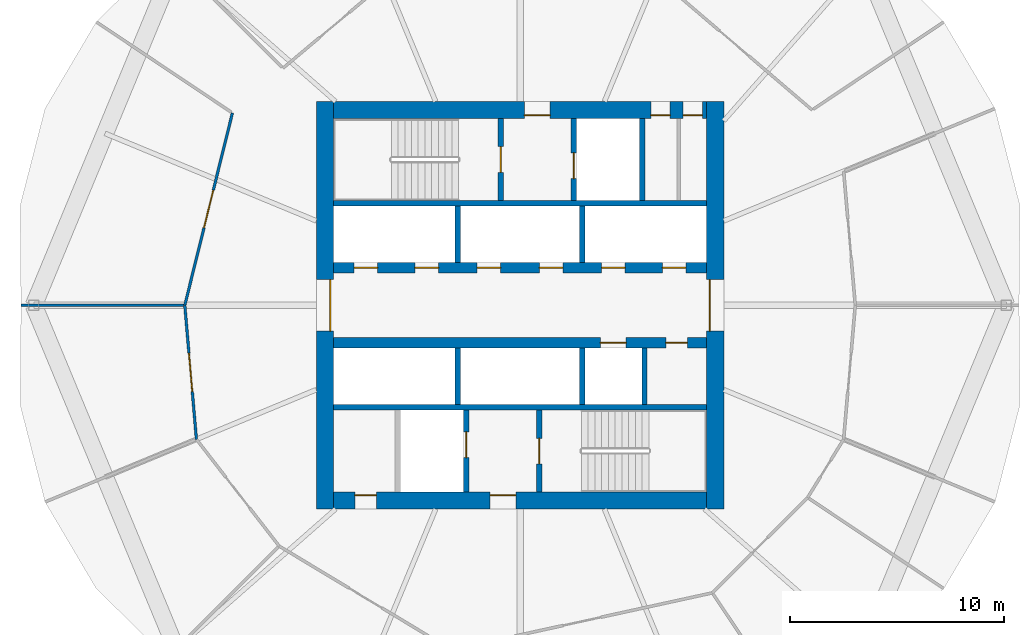
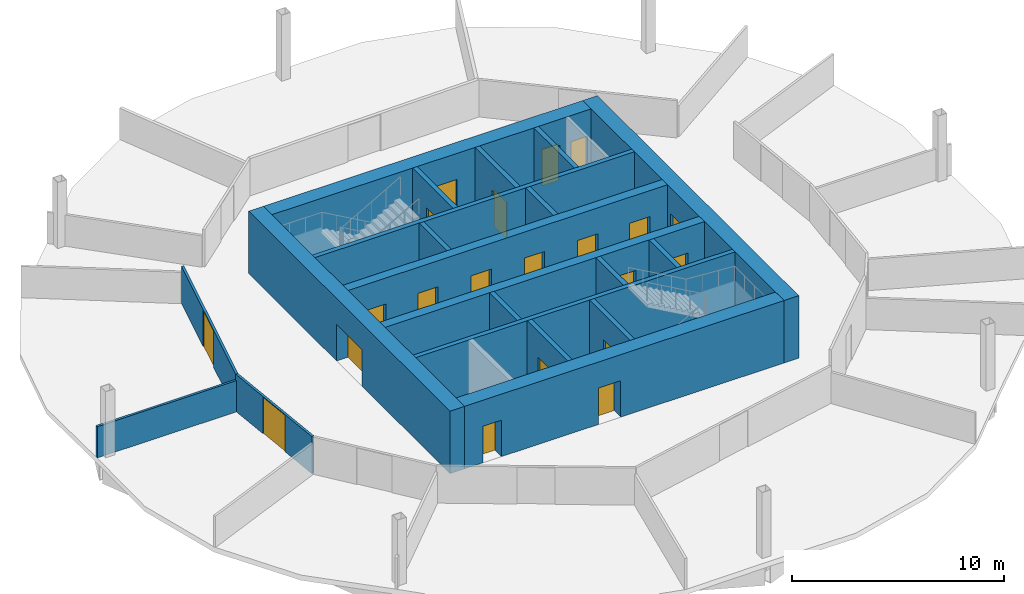
# One storey, part 4 of 9: 21 doors, 21 walls, 21 openings.
"""IFC4 building model written with IfcOpenShell, lengths in metres."""

from ifc_helpers import new_model, si_unit, direction, frame, frame_2d, origin, place, context, subcontext, project, spatial, rectangle, extrude, material, layer, layer_set, type_object, element, fill, save


model = new_model("IFC4")

# Units and contexts
model_context = context("Model", 3, precision=1e-05, world=origin(), true_north=direction((0.0, 1.0)))
body_context = subcontext(model_context, "Body", "Model", "MODEL_VIEW")
ifc_project = project(units=[si_unit("LENGTHUNIT", "METRE"), si_unit("AREAUNIT", "SQUARE_METRE"), si_unit("VOLUMEUNIT", "CUBIC_METRE"), si_unit("PLANEANGLEUNIT", "RADIAN"), si_unit("MASSUNIT", "GRAM", prefix="KILO")], contexts=[model_context])

# Site, building, storey
site_placement = place(None, origin())
site = spatial("IfcSite", under=ifc_project, at=site_placement, CompositionType="ELEMENT")
building_placement = place(site_placement, origin())
building = spatial("IfcBuilding", under=site, at=building_placement, Name="Ogive Gate Towers", CompositionType="ELEMENT")
storey_placement = place(building_placement, frame((0.0, 0.0, 91.800048828125)))
storey = spatial("IfcBuildingStorey", under=building, at=storey_placement, Name="L21", CompositionType="ELEMENT", Elevation=91.800048828125)

# Wall, openings, doors
ifc_material_1 = material(Name="Concrete C60/75", Category="concrete")
ifc_layer_1 = layer(ifc_material_1, 0.800048828125)
ifc_layer_set_1 = layer_set([ifc_layer_1], Name="Core wall 800 mm")
wall_type_1 = type_object("IfcWallType", Name="Core wall 800 mm", PredefinedType="SHEAR", material=ifc_layer_set_1)
wall_1_placement = place(storey_placement, frame((-44.699951171875, -9.10009765625, 0.0), z_axis=(0.0, 0.0, 1.0), x_axis=(1.0, 0.0, 0.0)))
wall_1 = element("IfcWall", 1, at=wall_1_placement, inside=storey, type_object=wall_type_1, Name="T1 L21 Core wall 800 mm", PredefinedType="SHEAR", context=body_context, shape_type="SweptSolid", body=[
    extrude(rectangle(XDim=17.39990234375, YDim=0.800048828125, at=frame_2d((8.699951171875, 0.0))), origin(), (0.0, 0.0, 1.0), 3.599853515625),
])
opening_1_placement = place(wall_1_placement, frame((7.300048828125, 0.0, 0.0)))
opening_1 = element("IfcOpeningElement", 2, at=opening_1_placement, cuts=wall_1, Name="Opening KD-T1-L21-16", PredefinedType="OPENING", context=body_context, shape_type="SweptSolid", body=[
    extrude(rectangle(XDim=1.199951171875, YDim=2.10009765625, at=frame_2d((0.60009765625, 1.050048828125))), frame((0.0, 0.41015625, 0.0), z_axis=(0.0, -1.0, 0.0), x_axis=(1.0, 0.0, 0.0)), (0.0, 0.0, 1.0), 0.820068359375),
])
opening_2_placement = place(wall_1_placement, frame((1.0, 0.0, 0.0)))
opening_2 = element("IfcOpeningElement", 3, at=opening_2_placement, cuts=wall_1, Name="Opening KD-T1-L21-19", PredefinedType="OPENING", context=body_context, shape_type="SweptSolid", body=[
    extrude(rectangle(XDim=1.0, YDim=2.10009765625, at=frame_2d((0.5, 1.050048828125))), frame((0.0, 0.41015625, 0.0), z_axis=(0.0, -1.0, 0.0), x_axis=(1.0, 0.0, 0.0)), (0.0, 0.0, 1.0), 0.820068359375),
])
ifc_material_2 = material(Name="Timber door", Category="wood")
door_type_1 = type_object("IfcDoorType", Name="Accessible WC door 1000 x 2100", OperationType="NOTDEFINED", PredefinedType="DOOR", material=ifc_material_2)
door_1_placement = place(opening_2_placement, origin())
door_1 = element("IfcDoor", 4, at=door_1_placement, inside=storey, type_object=door_type_1, Name="T1 L21 Core door", OperationType="SINGLE_SWING_RIGHT", OverallHeight=2.10009765625, OverallWidth=1.0, PredefinedType="DOOR", context=body_context, shape_type="SweptSolid", body=[
    extrude(rectangle(XDim=1.0, YDim=2.10009765625, at=frame_2d((0.5, 1.050048828125))), frame((0.0, 0.27490234375, 0.0), z_axis=(0.0, -1.0, 0.0), x_axis=(1.0, 0.0, 0.0)), (0.0, 0.0, 1.0), 0.050048828125),
])
fill(opening_2, door_1)
ifc_material_3 = material(Name="Steel fire door", Category="steel")
door_type_2 = type_object("IfcDoorType", Name="Core door FD60S 1200 x 2100", OperationType="NOTDEFINED", PredefinedType="DOOR", material=ifc_material_3)
door_2_placement = place(opening_1_placement, origin())
door_2 = element("IfcDoor", 5, at=door_2_placement, inside=storey, type_object=door_type_2, Name="T1 L21 Fire-fighting lobby door", OperationType="SINGLE_SWING_LEFT", OverallHeight=2.10009765625, OverallWidth=1.199951171875, PredefinedType="DOOR", context=body_context, shape_type="SweptSolid", body=[
    extrude(rectangle(XDim=1.199951171875, YDim=2.10009765625, at=frame_2d((0.60009765625, 1.050048828125))), frame((0.0, 0.27490234375, 0.0), z_axis=(0.0, -1.0, 0.0), x_axis=(1.0, 0.0, 0.0)), (0.0, 0.0, 1.0), 0.050048828125),
])
fill(opening_1, door_2)

wall_2_placement = place(storey_placement, frame((-44.699951171875, 9.10009765625, 0.0), z_axis=(0.0, 0.0, 1.0), x_axis=(1.0, 0.0, 0.0)))
wall_2 = element("IfcWall", 6, at=wall_2_placement, inside=storey, type_object=wall_type_1, Name="T1 L21 Core wall 800 mm", PredefinedType="SHEAR", context=body_context, shape_type="SweptSolid", body=[
    extrude(rectangle(XDim=17.39990234375, YDim=0.800048828125, at=frame_2d((8.699951171875, 0.0))), origin(), (0.0, 0.0, 1.0), 3.599853515625),
])
opening_3_placement = place(wall_2_placement, frame((8.89990234375, 0.0, 0.0)))
opening_3 = element("IfcOpeningElement", 7, at=opening_3_placement, cuts=wall_2, Name="Opening KD-T1-L21-15", PredefinedType="OPENING", context=body_context, shape_type="SweptSolid", body=[
    extrude(rectangle(XDim=1.199951171875, YDim=2.10009765625, at=frame_2d((0.60009765625, 1.050048828125))), frame((0.0, 0.41015625, 0.0), z_axis=(0.0, -1.0, 0.0), x_axis=(1.0, 0.0, 0.0)), (0.0, 0.0, 1.0), 0.820068359375),
])
opening_4_placement = place(wall_2_placement, frame((14.800048828125, 0.0, 0.0)))
opening_4 = element("IfcOpeningElement", 8, at=opening_4_placement, cuts=wall_2, Name="Opening KD-T1-L21-17", PredefinedType="OPENING", context=body_context, shape_type="SweptSolid", body=[
    extrude(rectangle(XDim=0.89990234375, YDim=2.10009765625, at=frame_2d((0.449951171875, 1.050048828125))), frame((0.0, 0.41015625, 0.0), z_axis=(0.0, -1.0, 0.0), x_axis=(1.0, 0.0, 0.0)), (0.0, 0.0, 1.0), 0.820068359375),
])
opening_5_placement = place(wall_2_placement, frame((16.300048828125, 0.0, 0.0)))
opening_5 = element("IfcOpeningElement", 9, at=opening_5_placement, cuts=wall_2, Name="Opening KD-T1-L21-18", PredefinedType="OPENING", context=body_context, shape_type="SweptSolid", body=[
    extrude(rectangle(XDim=0.89990234375, YDim=2.10009765625, at=frame_2d((0.449951171875, 1.050048828125))), frame((0.0, 0.41015625, 0.0), z_axis=(0.0, -1.0, 0.0), x_axis=(1.0, 0.0, 0.0)), (0.0, 0.0, 1.0), 0.820068359375),
])
door_type_3 = type_object("IfcDoorType", Name="Core WC door 900 x 2100", OperationType="NOTDEFINED", PredefinedType="DOOR", material=ifc_material_2)
door_3_placement = place(opening_4_placement, origin())
door_3 = element("IfcDoor", 10, at=door_3_placement, inside=storey, type_object=door_type_3, Name="T1 L21 Core door", OperationType="SINGLE_SWING_RIGHT", OverallHeight=2.10009765625, OverallWidth=0.89990234375, PredefinedType="DOOR", context=body_context, shape_type="SweptSolid", body=[
    extrude(rectangle(XDim=0.89990234375, YDim=2.10009765625, at=frame_2d((0.449951171875, 1.050048828125))), frame((0.0, -0.22509765625, 0.0), z_axis=(0.0, -1.0, 0.0), x_axis=(1.0, 0.0, 0.0)), (0.0, 0.0, 1.0), 0.050048828125),
])
fill(opening_4, door_3)
door_4_placement = place(opening_5_placement, origin())
door_4 = element("IfcDoor", 11, at=door_4_placement, inside=storey, type_object=door_type_3, Name="T1 L21 Core door", OperationType="SINGLE_SWING_LEFT", OverallHeight=2.10009765625, OverallWidth=0.89990234375, PredefinedType="DOOR", context=body_context, shape_type="SweptSolid", body=[
    extrude(rectangle(XDim=0.89990234375, YDim=2.10009765625, at=frame_2d((0.449951171875, 1.050048828125))), frame((0.0, -0.22509765625, 0.0), z_axis=(0.0, -1.0, 0.0), x_axis=(1.0, 0.0, 0.0)), (0.0, 0.0, 1.0), 0.050048828125),
])
fill(opening_5, door_4)
door_5_placement = place(opening_3_placement, origin())
door_5 = element("IfcDoor", 12, at=door_5_placement, inside=storey, type_object=door_type_2, Name="T1 L21 Fire-fighting lobby door", OperationType="SINGLE_SWING_RIGHT", OverallHeight=2.10009765625, OverallWidth=1.199951171875, PredefinedType="DOOR", context=body_context, shape_type="SweptSolid", body=[
    extrude(rectangle(XDim=1.199951171875, YDim=2.10009765625, at=frame_2d((0.60009765625, 1.050048828125))), frame((0.0, -0.22509765625, 0.0), z_axis=(0.0, -1.0, 0.0), x_axis=(1.0, 0.0, 0.0)), (0.0, 0.0, 1.0), 0.050048828125),
])
fill(opening_3, door_5)

# Wall, opening, door
wall_3_placement = place(storey_placement, frame((-45.10009765625, -9.5, 0.0), z_axis=(0.0, 0.0, 1.0), x_axis=(0.0, 1.0, 0.0)))
wall_3 = element("IfcWall", 13, at=wall_3_placement, inside=storey, type_object=wall_type_1, Name="T1 L21 Core wall 800 mm", PredefinedType="SHEAR", context=body_context, shape_type="SweptSolid", body=[
    extrude(rectangle(XDim=19.0, YDim=0.800048828125, at=frame_2d((9.5, 0.0))), origin(), (0.0, 0.0, 1.0), 3.599853515625),
])
opening_6_placement = place(wall_3_placement, frame((8.300048828125, 0.0, 0.0)))
opening_6 = element("IfcOpeningElement", 14, at=opening_6_placement, cuts=wall_3, Name="Opening KD-T1-L21-01", PredefinedType="OPENING", context=body_context, shape_type="SweptSolid", body=[
    extrude(rectangle(XDim=2.39990234375, YDim=2.10009765625, at=frame_2d((1.199951171875, 1.050048828125))), frame((0.0, 0.41015625, 0.0), z_axis=(0.0, -1.0, 0.0), x_axis=(1.0, 0.0, 0.0)), (0.0, 0.0, 1.0), 0.820068359375),
])
door_type_4 = type_object("IfcDoorType", Name="Core double door FD60S 2400 x 2100", OperationType="DOUBLE_DOOR_SINGLE_SWING", PredefinedType="DOOR", material=ifc_material_3)
door_6_placement = place(opening_6_placement, origin())
door_6 = element("IfcDoor", 15, at=door_6_placement, inside=storey, type_object=door_type_4, Name="T1 L21 Core door double", OperationType="DOUBLE_DOOR_SINGLE_SWING", OverallHeight=2.10009765625, OverallWidth=2.39990234375, PredefinedType="DOOR", context=body_context, shape_type="SweptSolid", body=[
    extrude(rectangle(XDim=2.39990234375, YDim=2.10009765625, at=frame_2d((1.199951171875, 1.050048828125))), frame((0.0, -0.22509765625, 0.0), z_axis=(0.0, -1.0, 0.0), x_axis=(1.0, 0.0, 0.0)), (0.0, 0.0, 1.0), 0.050048828125),
])
fill(opening_6, door_6)

wall_4_placement = place(storey_placement, frame((-26.89990234375, -9.5, 0.0), z_axis=(0.0, 0.0, 1.0), x_axis=(0.0, 1.0, 0.0)))
wall_4 = element("IfcWall", 16, at=wall_4_placement, inside=storey, type_object=wall_type_1, Name="T1 L21 Core wall 800 mm", PredefinedType="SHEAR", context=body_context, shape_type="SweptSolid", body=[
    extrude(rectangle(XDim=19.0, YDim=0.800048828125, at=frame_2d((9.5, 0.0))), origin(), (0.0, 0.0, 1.0), 3.599853515625),
])
opening_7_placement = place(wall_4_placement, frame((8.300048828125, 0.0, 0.0)))
opening_7 = element("IfcOpeningElement", 17, at=opening_7_placement, cuts=wall_4, Name="Opening KD-T1-L21-02", PredefinedType="OPENING", context=body_context, shape_type="SweptSolid", body=[
    extrude(rectangle(XDim=2.39990234375, YDim=2.10009765625, at=frame_2d((1.199951171875, 1.050048828125))), frame((0.0, 0.41015625, 0.0), z_axis=(0.0, -1.0, 0.0), x_axis=(1.0, 0.0, 0.0)), (0.0, 0.0, 1.0), 0.820068359375),
])
door_7_placement = place(opening_7_placement, origin())
door_7 = element("IfcDoor", 18, at=door_7_placement, inside=storey, type_object=door_type_4, Name="T1 L21 Core door double", OperationType="DOUBLE_DOOR_SINGLE_SWING", OverallHeight=2.10009765625, OverallWidth=2.39990234375, PredefinedType="DOOR", context=body_context, shape_type="SweptSolid", body=[
    extrude(rectangle(XDim=2.39990234375, YDim=2.10009765625, at=frame_2d((1.199951171875, 1.050048828125))), frame((0.0, 0.27490234375, 0.0), z_axis=(0.0, -1.0, 0.0), x_axis=(1.0, 0.0, 0.0)), (0.0, 0.0, 1.0), 0.050048828125),
])
fill(opening_7, door_7)

# Wall
ifc_material_4 = material(Name="Gypsum board partition")
ifc_layer_2 = layer(ifc_material_4, 0.125)
ifc_layer_set_2 = layer_set([ifc_layer_2], Name="Partition 125")
wall_type_2 = type_object("IfcWallType", Name="Partition 125", PredefinedType="PARTITIONING", material=ifc_layer_set_2)
wall_5_placement = place(storey_placement, frame((-59.26904296875, 0.0, 0.0), z_axis=(0.0, 0.0, 1.0), x_axis=(1.0, 0.0, 0.0)))
element("IfcWall", 19, at=wall_5_placement, inside=storey, type_object=wall_type_2, Name="Partition T1-L21-008", PredefinedType="PARTITIONING", context=body_context, shape_type="SweptSolid", body=[
    extrude(rectangle(XDim=7.57666015625, YDim=0.125, at=frame_2d((3.788330078125, 0.0))), origin(), (0.0, 0.0, 1.0), 1.800048828125),
])

# Wall, opening, door
wall_6_placement = place(storey_placement, frame((-49.4091796875, 8.9658203125, 0.0), z_axis=(0.0, 0.0, 1.0), x_axis=(-0.240420532382, -0.970668824888, 0.0)))
wall_6 = element("IfcWall", 20, at=wall_6_placement, inside=storey, type_object=wall_type_2, Name="Partition T1-L21-018", PredefinedType="PARTITIONING", context=body_context, shape_type="SweptSolid", body=[
    extrude(rectangle(XDim=9.23681640625, YDim=0.125, at=frame_2d((4.618408203125, 0.0))), origin(), (0.0, 0.0, 1.0), 2.139892578125),
])
opening_8_placement = place(wall_6_placement, frame((3.718017578125, 0.0, 0.0)))
opening_8 = element("IfcOpeningElement", 21, at=opening_8_placement, cuts=wall_6, Name="Opening T1-L21-D04", PredefinedType="OPENING", context=body_context, shape_type="SweptSolid", body=[
    extrude(rectangle(XDim=1.800048828125, YDim=2.10009765625, at=frame_2d((0.89990234375, 1.050048828125))), frame((0.0, 0.072509765625, 0.0), z_axis=(0.0, -1.0, 0.0), x_axis=(1.0, 0.0, 0.0)), (0.0, 0.0, 1.0), 0.14501953125),
])
door_type_5 = type_object("IfcDoorType", Name="Door pair 1800", OperationType="NOTDEFINED", PredefinedType="DOOR", material=ifc_material_2)
door_8_placement = place(opening_8_placement, origin())
door_8 = element("IfcDoor", 22, at=door_8_placement, inside=storey, type_object=door_type_5, Name="Door T1-L21-D04", OperationType="DOUBLE_DOOR_DOUBLE_SWING", OverallHeight=2.10009765625, OverallWidth=1.800048828125, PredefinedType="DOOR", context=body_context, shape_type="SweptSolid", body=[
    extrude(rectangle(XDim=1.800048828125, YDim=2.10009765625, at=frame_2d((0.89990234375, 1.050048828125))), frame((0.0, 0.02490234375, 0.0), z_axis=(0.0, -1.0, 0.0), x_axis=(1.0, 0.0, 0.0)), (0.0, 0.0, 1.0), 0.050048828125),
])
fill(opening_8, door_8)

wall_7_placement = place(storey_placement, frame((-51.6298828125, 0.0, 0.0), z_axis=(0.0, 0.0, 1.0), x_axis=(0.086401208682, -0.996260423352, 0.0)))
wall_7 = element("IfcWall", 23, at=wall_7_placement, inside=storey, type_object=wall_type_2, Name="Partition T1-L21-019", PredefinedType="PARTITIONING", context=body_context, shape_type="SweptSolid", body=[
    extrude(rectangle(XDim=6.27294921875, YDim=0.125, at=frame_2d((3.136474609375, 0.0))), origin(), (0.0, 0.0, 1.0), 2.139892578125),
])
opening_9_placement = place(wall_7_placement, frame((2.237060546875, 0.0, 0.0)))
opening_9 = element("IfcOpeningElement", 24, at=opening_9_placement, cuts=wall_7, Name="Opening T1-L21-D05", PredefinedType="OPENING", context=body_context, shape_type="SweptSolid", body=[
    extrude(rectangle(XDim=1.800048828125, YDim=2.10009765625, at=frame_2d((0.89990234375, 1.050048828125))), frame((0.0, 0.072509765625, 0.0), z_axis=(0.0, -1.0, 0.0), x_axis=(1.0, 0.0, 0.0)), (0.0, 0.0, 1.0), 0.14501953125),
])
door_9_placement = place(opening_9_placement, origin())
door_9 = element("IfcDoor", 25, at=door_9_placement, inside=storey, type_object=door_type_5, Name="Door T1-L21-D05", OperationType="DOUBLE_DOOR_DOUBLE_SWING", OverallHeight=2.10009765625, OverallWidth=1.800048828125, PredefinedType="DOOR", context=body_context, shape_type="SweptSolid", body=[
    extrude(rectangle(XDim=1.800048828125, YDim=2.10009765625, at=frame_2d((0.89990234375, 1.050048828125))), frame((0.0, 0.02490234375, 0.0), z_axis=(0.0, -1.0, 0.0), x_axis=(1.0, 0.0, 0.0)), (0.0, 0.0, 1.0), 0.050048828125),
])
fill(opening_9, door_9)

# Walls
ifc_layer_3 = layer(ifc_material_1, 0.25)
ifc_layer_set_3 = layer_set([ifc_layer_3], Name="Shaft wall 250 mm")
wall_type_3 = type_object("IfcWallType", Name="Shaft wall 250 mm", PredefinedType="SHEAR", material=ifc_layer_set_3)
for number, where, z_axis, x_axis, name in (
    (26, (-44.699951171875, -4.75, 0.0), (0.0, 0.0, 1.0), (1.0, 0.0, 0.0), "T1 L21 Shaft wall 250 mm"),
    (27, (-44.699951171875, 4.75, 0.0), (0.0, 0.0, 1.0), (1.0, 0.0, 0.0), "T1 L21 Shaft wall 250 mm"),
):
    element("IfcWall", number, at=place(storey_placement, frame(where, z_axis=z_axis, x_axis=x_axis)), inside=storey, type_object=wall_type_3, Name=name, PredefinedType="SHEAR", context=body_context, shape_type="SweptSolid", body=[
        extrude(rectangle(XDim=17.39990234375, YDim=0.25, at=frame_2d((8.699951171875, 0.0))), origin(), (0.0, 0.0, 1.0), 3.599853515625),
    ])
for number, where, z_axis, x_axis, name in (
    (28, (-38.89990234375, -4.625, 0.0), (0.0, 0.0, 1.0), (0.0, 1.0, 0.0), "T1 L21 Shaft wall 250 mm"),
    (29, (-38.89990234375, 2.0, 0.0), (0.0, 0.0, 1.0), (0.0, 1.0, 0.0), "T1 L21 Shaft wall 250 mm"),
):
    element("IfcWall", number, at=place(storey_placement, frame(where, z_axis=z_axis, x_axis=x_axis)), inside=storey, type_object=wall_type_3, Name=name, PredefinedType="SHEAR", context=body_context, shape_type="SweptSolid", body=[
        extrude(rectangle(XDim=2.625, YDim=0.25, at=frame_2d((1.3125, 0.0))), origin(), (0.0, 0.0, 1.0), 3.599853515625),
    ])

# Wall, opening, door
wall_8_placement = place(storey_placement, frame((-38.5, -8.699951171875, 0.0), z_axis=(0.0, 0.0, 1.0), x_axis=(0.0, 1.0, 0.0)))
wall_8 = element("IfcWall", 30, at=wall_8_placement, inside=storey, type_object=wall_type_3, Name="T1 L21 Shaft wall 250 mm", PredefinedType="SHEAR", context=body_context, shape_type="SweptSolid", body=[
    extrude(rectangle(XDim=3.824951171875, YDim=0.25, at=frame_2d((1.91259765625, 0.0))), origin(), (0.0, 0.0, 1.0), 3.599853515625),
])
opening_10_placement = place(wall_8_placement, frame((1.60009765625, 0.0, 0.0)))
opening_10 = element("IfcOpeningElement", 31, at=opening_10_placement, cuts=wall_8, Name="Opening LD-T1-L21-11", PredefinedType="OPENING", context=body_context, shape_type="SweptSolid", body=[
    extrude(rectangle(XDim=1.199951171875, YDim=2.10009765625, at=frame_2d((0.60009765625, 1.050048828125))), frame((0.0, 0.135009765625, 0.0), z_axis=(0.0, -1.0, 0.0), x_axis=(1.0, 0.0, 0.0)), (0.0, 0.0, 1.0), 0.27001953125),
])
ifc_material_5 = material(Name="Stainless steel landing door", Category="steel")
door_type_6 = type_object("IfcDoorType", Name="Landing door 1200 x 2100", OperationType="SLIDING_TO_LEFT", PredefinedType="DOOR", material=ifc_material_5)
door_10_placement = place(opening_10_placement, origin())
door_10 = element("IfcDoor", 32, at=door_10_placement, inside=storey, type_object=door_type_6, Name="T1 L21 Lift landing door FF2", OperationType="SLIDING_TO_LEFT", OverallHeight=2.10009765625, OverallWidth=1.199951171875, PredefinedType="DOOR", context=body_context, shape_type="SweptSolid", body=[
    extrude(rectangle(XDim=1.199951171875, YDim=2.10009765625, at=frame_2d((0.60009765625, 1.050048828125))), frame((0.0, 0.02490234375, 0.0), z_axis=(0.0, -1.0, 0.0), x_axis=(1.0, 0.0, 0.0)), (0.0, 0.0, 1.0), 0.050048828125),
])
fill(opening_10, door_10)

wall_9_placement = place(storey_placement, frame((-36.89990234375, 4.875, 0.0), z_axis=(0.0, 0.0, 1.0), x_axis=(0.0, 1.0, 0.0)))
wall_9 = element("IfcWall", 33, at=wall_9_placement, inside=storey, type_object=wall_type_3, Name="T1 L21 Shaft wall 250 mm", PredefinedType="SHEAR", context=body_context, shape_type="SweptSolid", body=[
    extrude(rectangle(XDim=3.824951171875, YDim=0.25, at=frame_2d((1.91259765625, 0.0))), origin(), (0.0, 0.0, 1.0), 3.599853515625),
])
opening_11_placement = place(wall_9_placement, frame((1.324951171875, 0.0, 0.0)))
opening_11 = element("IfcOpeningElement", 34, at=opening_11_placement, cuts=wall_9, Name="Opening KD-T1-L21-13", PredefinedType="OPENING", context=body_context, shape_type="SweptSolid", body=[
    extrude(rectangle(XDim=1.199951171875, YDim=2.10009765625, at=frame_2d((0.60009765625, 1.050048828125))), frame((0.0, 0.135009765625, 0.0), z_axis=(0.0, -1.0, 0.0), x_axis=(1.0, 0.0, 0.0)), (0.0, 0.0, 1.0), 0.27001953125),
])
door_11_placement = place(opening_11_placement, origin())
door_11 = element("IfcDoor", 35, at=door_11_placement, inside=storey, type_object=door_type_2, Name="T1 L21 Stair door", OperationType="SINGLE_SWING_RIGHT", OverallHeight=2.10009765625, OverallWidth=1.199951171875, PredefinedType="DOOR", context=body_context, shape_type="SweptSolid", body=[
    extrude(rectangle(XDim=1.199951171875, YDim=2.10009765625, at=frame_2d((0.60009765625, 1.050048828125))), frame((0.0, 0.02490234375, 0.0), z_axis=(0.0, -1.0, 0.0), x_axis=(1.0, 0.0, 0.0)), (0.0, 0.0, 1.0), 0.050048828125),
])
fill(opening_11, door_11)

wall_10_placement = place(storey_placement, frame((-35.10009765625, -8.699951171875, 0.0), z_axis=(0.0, 0.0, 1.0), x_axis=(0.0, 1.0, 0.0)))
wall_10 = element("IfcWall", 36, at=wall_10_placement, inside=storey, type_object=wall_type_3, Name="T1 L21 Shaft wall 250 mm", PredefinedType="SHEAR", context=body_context, shape_type="SweptSolid", body=[
    extrude(rectangle(XDim=3.824951171875, YDim=0.25, at=frame_2d((1.91259765625, 0.0))), origin(), (0.0, 0.0, 1.0), 3.599853515625),
])
opening_12_placement = place(wall_10_placement, frame((1.300048828125, 0.0, 0.0)))
opening_12 = element("IfcOpeningElement", 37, at=opening_12_placement, cuts=wall_10, Name="Opening KD-T1-L21-14", PredefinedType="OPENING", context=body_context, shape_type="SweptSolid", body=[
    extrude(rectangle(XDim=1.199951171875, YDim=2.10009765625, at=frame_2d((0.60009765625, 1.050048828125))), frame((0.0, 0.135009765625, 0.0), z_axis=(0.0, -1.0, 0.0), x_axis=(1.0, 0.0, 0.0)), (0.0, 0.0, 1.0), 0.27001953125),
])
door_12_placement = place(opening_12_placement, origin())
door_12 = element("IfcDoor", 38, at=door_12_placement, inside=storey, type_object=door_type_2, Name="T1 L21 Stair door", OperationType="SINGLE_SWING_LEFT", OverallHeight=2.10009765625, OverallWidth=1.199951171875, PredefinedType="DOOR", context=body_context, shape_type="SweptSolid", body=[
    extrude(rectangle(XDim=1.199951171875, YDim=2.10009765625, at=frame_2d((0.60009765625, 1.050048828125))), frame((0.0, 0.02490234375, 0.0), z_axis=(0.0, -1.0, 0.0), x_axis=(1.0, 0.0, 0.0)), (0.0, 0.0, 1.0), 0.050048828125),
])
fill(opening_12, door_12)

wall_11_placement = place(storey_placement, frame((-33.5, 4.875, 0.0), z_axis=(0.0, 0.0, 1.0), x_axis=(0.0, 1.0, 0.0)))
wall_11 = element("IfcWall", 39, at=wall_11_placement, inside=storey, type_object=wall_type_3, Name="T1 L21 Shaft wall 250 mm", PredefinedType="SHEAR", context=body_context, shape_type="SweptSolid", body=[
    extrude(rectangle(XDim=3.824951171875, YDim=0.25, at=frame_2d((1.91259765625, 0.0))), origin(), (0.0, 0.0, 1.0), 3.599853515625),
])
opening_13_placement = place(wall_11_placement, frame((1.02490234375, 0.0, 0.0)))
opening_13 = element("IfcOpeningElement", 40, at=opening_13_placement, cuts=wall_11, Name="Opening LD-T1-L21-10", PredefinedType="OPENING", context=body_context, shape_type="SweptSolid", body=[
    extrude(rectangle(XDim=1.199951171875, YDim=2.10009765625, at=frame_2d((0.60009765625, 1.050048828125))), frame((0.0, 0.135009765625, 0.0), z_axis=(0.0, -1.0, 0.0), x_axis=(1.0, 0.0, 0.0)), (0.0, 0.0, 1.0), 0.27001953125),
])
door_13_placement = place(opening_13_placement, origin())
door_13 = element("IfcDoor", 41, at=door_13_placement, inside=storey, type_object=door_type_6, Name="T1 L21 Lift landing door FF1", OperationType="SLIDING_TO_LEFT", OverallHeight=2.10009765625, OverallWidth=1.199951171875, PredefinedType="DOOR", context=body_context, shape_type="SweptSolid", body=[
    extrude(rectangle(XDim=1.199951171875, YDim=2.10009765625, at=frame_2d((0.60009765625, 1.050048828125))), frame((0.0, 0.02490234375, 0.0), z_axis=(0.0, -1.0, 0.0), x_axis=(1.0, 0.0, 0.0)), (0.0, 0.0, 1.0), 0.050048828125),
])
fill(opening_13, door_13)

# Walls
for number, where, z_axis, x_axis, name in (
    (42, (-33.10009765625, -4.625, 0.0), (0.0, 0.0, 1.0), (0.0, 1.0, 0.0), "T1 L21 Shaft wall 250 mm"),
    (43, (-33.10009765625, 2.0, 0.0), (0.0, 0.0, 1.0), (0.0, 1.0, 0.0), "T1 L21 Shaft wall 250 mm"),
):
    element("IfcWall", number, at=place(storey_placement, frame(where, z_axis=z_axis, x_axis=x_axis)), inside=storey, type_object=wall_type_3, Name=name, PredefinedType="SHEAR", context=body_context, shape_type="SweptSolid", body=[
        extrude(rectangle(XDim=2.625, YDim=0.25, at=frame_2d((1.3125, 0.0))), origin(), (0.0, 0.0, 1.0), 3.599853515625),
    ])
wall_12_placement = place(storey_placement, frame((-30.300048828125, 4.875, 0.0), z_axis=(0.0, 0.0, 1.0), x_axis=(0.0, 1.0, 0.0)))
element("IfcWall", 44, at=wall_12_placement, inside=storey, type_object=wall_type_3, Name="T1 L21 Shaft wall 250 mm", PredefinedType="SHEAR", context=body_context, shape_type="SweptSolid", body=[
    extrude(rectangle(XDim=3.824951171875, YDim=0.25, at=frame_2d((1.91259765625, 0.0))), origin(), (0.0, 0.0, 1.0), 3.599853515625),
])
wall_13_placement = place(storey_placement, frame((-30.199951171875, -4.625, 0.0), z_axis=(0.0, 0.0, 1.0), x_axis=(0.0, 1.0, 0.0)))
element("IfcWall", 45, at=wall_13_placement, inside=storey, type_object=wall_type_3, Name="T1 L21 Shaft wall 250 mm", PredefinedType="SHEAR", context=body_context, shape_type="SweptSolid", body=[
    extrude(rectangle(XDim=2.625, YDim=0.25, at=frame_2d((1.3125, 0.0))), origin(), (0.0, 0.0, 1.0), 3.599853515625),
])

# Wall, openings, doors
ifc_layer_4 = layer(ifc_material_1, 0.5)
ifc_layer_set_4 = layer_set([ifc_layer_4], Name="Spine wall 500 mm")
wall_type_4 = type_object("IfcWallType", Name="Spine wall 500 mm", PredefinedType="SHEAR", material=ifc_layer_set_4)
wall_14_placement = place(storey_placement, frame((-44.699951171875, -1.75, 0.0), z_axis=(0.0, 0.0, 1.0), x_axis=(1.0, 0.0, 0.0)))
wall_14 = element("IfcWall", 46, at=wall_14_placement, inside=storey, type_object=wall_type_4, Name="T1 L21 Spine wall 500 mm", PredefinedType="SHEAR", context=body_context, shape_type="SweptSolid", body=[
    extrude(rectangle(XDim=17.39990234375, YDim=0.5, at=frame_2d((8.699951171875, 0.0))), origin(), (0.0, 0.0, 1.0), 3.599853515625),
])
opening_14_placement = place(wall_14_placement, frame((12.449951171875, 0.0, 0.0)))
opening_14 = element("IfcOpeningElement", 47, at=opening_14_placement, cuts=wall_14, Name="Opening LD-T1-L21-09", PredefinedType="OPENING", context=body_context, shape_type="SweptSolid", body=[
    extrude(rectangle(XDim=1.199951171875, YDim=2.10009765625, at=frame_2d((0.60009765625, 1.050048828125))), frame((0.0, 0.260009765625, 0.0), z_axis=(0.0, -1.0, 0.0), x_axis=(1.0, 0.0, 0.0)), (0.0, 0.0, 1.0), 0.52001953125),
])
opening_15_placement = place(wall_14_placement, frame((15.5, 0.0, 0.0)))
opening_15 = element("IfcOpeningElement", 48, at=opening_15_placement, cuts=wall_14, Name="Opening KD-T1-L21-12", PredefinedType="OPENING", context=body_context, shape_type="SweptSolid", body=[
    extrude(rectangle(XDim=1.0, YDim=2.10009765625, at=frame_2d((0.5, 1.050048828125))), frame((0.0, 0.260009765625, 0.0), z_axis=(0.0, -1.0, 0.0), x_axis=(1.0, 0.0, 0.0)), (0.0, 0.0, 1.0), 0.52001953125),
])
door_type_7 = type_object("IfcDoorType", Name="Core door FD60S 1000 x 2100", OperationType="NOTDEFINED", PredefinedType="DOOR", material=ifc_material_3)
door_14_placement = place(opening_15_placement, origin())
door_14 = element("IfcDoor", 49, at=door_14_placement, inside=storey, type_object=door_type_7, Name="T1 L21 Core door", OperationType="SINGLE_SWING_LEFT", OverallHeight=2.10009765625, OverallWidth=1.0, PredefinedType="DOOR", context=body_context, shape_type="SweptSolid", body=[
    extrude(rectangle(XDim=1.0, YDim=2.10009765625, at=frame_2d((0.5, 1.050048828125))), frame((0.0, 0.02490234375, 0.0), z_axis=(0.0, -1.0, 0.0), x_axis=(1.0, 0.0, 0.0)), (0.0, 0.0, 1.0), 0.050048828125),
])
fill(opening_15, door_14)
door_15_placement = place(opening_14_placement, origin())
door_15 = element("IfcDoor", 50, at=door_15_placement, inside=storey, type_object=door_type_6, Name="T1 L21 Lift landing door SVC", OperationType="SLIDING_TO_LEFT", OverallHeight=2.10009765625, OverallWidth=1.199951171875, PredefinedType="DOOR", context=body_context, shape_type="SweptSolid", body=[
    extrude(rectangle(XDim=1.199951171875, YDim=2.10009765625, at=frame_2d((0.60009765625, 1.050048828125))), frame((0.0, 0.02490234375, 0.0), z_axis=(0.0, -1.0, 0.0), x_axis=(1.0, 0.0, 0.0)), (0.0, 0.0, 1.0), 0.050048828125),
])
fill(opening_14, door_15)

wall_15_placement = place(storey_placement, frame((-44.699951171875, 1.75, 0.0), z_axis=(0.0, 0.0, 1.0), x_axis=(1.0, 0.0, 0.0)))
wall_15 = element("IfcWall", 51, at=wall_15_placement, inside=storey, type_object=wall_type_4, Name="T1 L21 Spine wall 500 mm", PredefinedType="SHEAR", context=body_context, shape_type="SweptSolid", body=[
    extrude(rectangle(XDim=17.39990234375, YDim=0.5, at=frame_2d((8.699951171875, 0.0))), origin(), (0.0, 0.0, 1.0), 3.599853515625),
])
opening_16_placement = place(wall_15_placement, frame((0.96240234375, 0.0, 0.0)))
opening_16 = element("IfcOpeningElement", 52, at=opening_16_placement, cuts=wall_15, Name="Opening LD-T1-L21-03", PredefinedType="OPENING", context=body_context, shape_type="SweptSolid", body=[
    extrude(rectangle(XDim=1.10009765625, YDim=2.10009765625, at=frame_2d((0.550048828125, 1.050048828125))), frame((0.0, 0.260009765625, 0.0), z_axis=(0.0, -1.0, 0.0), x_axis=(1.0, 0.0, 0.0)), (0.0, 0.0, 1.0), 0.52001953125),
])
opening_17_placement = place(wall_15_placement, frame((3.800048828125, 0.0, 0.0)))
opening_17 = element("IfcOpeningElement", 53, at=opening_17_placement, cuts=wall_15, Name="Opening LD-T1-L21-04", PredefinedType="OPENING", context=body_context, shape_type="SweptSolid", body=[
    extrude(rectangle(XDim=1.10009765625, YDim=2.10009765625, at=frame_2d((0.550048828125, 1.050048828125))), frame((0.0, 0.260009765625, 0.0), z_axis=(0.0, -1.0, 0.0), x_axis=(1.0, 0.0, 0.0)), (0.0, 0.0, 1.0), 0.52001953125),
])
opening_18_placement = place(wall_15_placement, frame((6.699951171875, 0.0, 0.0)))
opening_18 = element("IfcOpeningElement", 54, at=opening_18_placement, cuts=wall_15, Name="Opening LD-T1-L21-05", PredefinedType="OPENING", context=body_context, shape_type="SweptSolid", body=[
    extrude(rectangle(XDim=1.10009765625, YDim=2.10009765625, at=frame_2d((0.550048828125, 1.050048828125))), frame((0.0, 0.260009765625, 0.0), z_axis=(0.0, -1.0, 0.0), x_axis=(1.0, 0.0, 0.0)), (0.0, 0.0, 1.0), 0.52001953125),
])
opening_19_placement = place(wall_15_placement, frame((9.60009765625, 0.0, 0.0)))
opening_19 = element("IfcOpeningElement", 55, at=opening_19_placement, cuts=wall_15, Name="Opening LD-T1-L21-06", PredefinedType="OPENING", context=body_context, shape_type="SweptSolid", body=[
    extrude(rectangle(XDim=1.10009765625, YDim=2.10009765625, at=frame_2d((0.550048828125, 1.050048828125))), frame((0.0, 0.260009765625, 0.0), z_axis=(0.0, -1.0, 0.0), x_axis=(1.0, 0.0, 0.0)), (0.0, 0.0, 1.0), 0.52001953125),
])
opening_20_placement = place(wall_15_placement, frame((12.5, 0.0, 0.0)))
opening_20 = element("IfcOpeningElement", 56, at=opening_20_placement, cuts=wall_15, Name="Opening LD-T1-L21-07", PredefinedType="OPENING", context=body_context, shape_type="SweptSolid", body=[
    extrude(rectangle(XDim=1.10009765625, YDim=2.10009765625, at=frame_2d((0.550048828125, 1.050048828125))), frame((0.0, 0.260009765625, 0.0), z_axis=(0.0, -1.0, 0.0), x_axis=(1.0, 0.0, 0.0)), (0.0, 0.0, 1.0), 0.52001953125),
])
opening_21_placement = place(wall_15_placement, frame((15.33740234375, 0.0, 0.0)))
opening_21 = element("IfcOpeningElement", 57, at=opening_21_placement, cuts=wall_15, Name="Opening LD-T1-L21-08", PredefinedType="OPENING", context=body_context, shape_type="SweptSolid", body=[
    extrude(rectangle(XDim=1.10009765625, YDim=2.10009765625, at=frame_2d((0.550048828125, 1.050048828125))), frame((0.0, 0.260009765625, 0.0), z_axis=(0.0, -1.0, 0.0), x_axis=(1.0, 0.0, 0.0)), (0.0, 0.0, 1.0), 0.52001953125),
])
door_type_8 = type_object("IfcDoorType", Name="Landing door 1100 x 2100", OperationType="SLIDING_TO_LEFT", PredefinedType="DOOR", material=ifc_material_5)
door_16_placement = place(opening_16_placement, origin())
door_16 = element("IfcDoor", 58, at=door_16_placement, inside=storey, type_object=door_type_8, Name="T1 L21 Lift landing door A1", OperationType="SLIDING_TO_LEFT", OverallHeight=2.10009765625, OverallWidth=1.10009765625, PredefinedType="DOOR", context=body_context, shape_type="SweptSolid", body=[
    extrude(rectangle(XDim=1.10009765625, YDim=2.10009765625, at=frame_2d((0.550048828125, 1.050048828125))), frame((0.0, 0.02490234375, 0.0), z_axis=(0.0, -1.0, 0.0), x_axis=(1.0, 0.0, 0.0)), (0.0, 0.0, 1.0), 0.050048828125),
])
fill(opening_16, door_16)
door_17_placement = place(opening_17_placement, origin())
door_17 = element("IfcDoor", 59, at=door_17_placement, inside=storey, type_object=door_type_8, Name="T1 L21 Lift landing door A2", OperationType="SLIDING_TO_LEFT", OverallHeight=2.10009765625, OverallWidth=1.10009765625, PredefinedType="DOOR", context=body_context, shape_type="SweptSolid", body=[
    extrude(rectangle(XDim=1.10009765625, YDim=2.10009765625, at=frame_2d((0.550048828125, 1.050048828125))), frame((0.0, 0.02490234375, 0.0), z_axis=(0.0, -1.0, 0.0), x_axis=(1.0, 0.0, 0.0)), (0.0, 0.0, 1.0), 0.050048828125),
])
fill(opening_17, door_17)
door_18_placement = place(opening_18_placement, origin())
door_18 = element("IfcDoor", 60, at=door_18_placement, inside=storey, type_object=door_type_8, Name="T1 L21 Lift landing door A3", OperationType="SLIDING_TO_LEFT", OverallHeight=2.10009765625, OverallWidth=1.10009765625, PredefinedType="DOOR", context=body_context, shape_type="SweptSolid", body=[
    extrude(rectangle(XDim=1.10009765625, YDim=2.10009765625, at=frame_2d((0.550048828125, 1.050048828125))), frame((0.0, 0.02490234375, 0.0), z_axis=(0.0, -1.0, 0.0), x_axis=(1.0, 0.0, 0.0)), (0.0, 0.0, 1.0), 0.050048828125),
])
fill(opening_18, door_18)
door_19_placement = place(opening_19_placement, origin())
door_19 = element("IfcDoor", 61, at=door_19_placement, inside=storey, type_object=door_type_8, Name="T1 L21 Lift landing door A4", OperationType="SLIDING_TO_LEFT", OverallHeight=2.10009765625, OverallWidth=1.10009765625, PredefinedType="DOOR", context=body_context, shape_type="SweptSolid", body=[
    extrude(rectangle(XDim=1.10009765625, YDim=2.10009765625, at=frame_2d((0.550048828125, 1.050048828125))), frame((0.0, 0.02490234375, 0.0), z_axis=(0.0, -1.0, 0.0), x_axis=(1.0, 0.0, 0.0)), (0.0, 0.0, 1.0), 0.050048828125),
])
fill(opening_19, door_19)
door_20_placement = place(opening_20_placement, origin())
door_20 = element("IfcDoor", 62, at=door_20_placement, inside=storey, type_object=door_type_8, Name="T1 L21 Lift landing door A5", OperationType="SLIDING_TO_LEFT", OverallHeight=2.10009765625, OverallWidth=1.10009765625, PredefinedType="DOOR", context=body_context, shape_type="SweptSolid", body=[
    extrude(rectangle(XDim=1.10009765625, YDim=2.10009765625, at=frame_2d((0.550048828125, 1.050048828125))), frame((0.0, 0.02490234375, 0.0), z_axis=(0.0, -1.0, 0.0), x_axis=(1.0, 0.0, 0.0)), (0.0, 0.0, 1.0), 0.050048828125),
])
fill(opening_20, door_20)
door_21_placement = place(opening_21_placement, origin())
door_21 = element("IfcDoor", 63, at=door_21_placement, inside=storey, type_object=door_type_8, Name="T1 L21 Lift landing door A6", OperationType="SLIDING_TO_LEFT", OverallHeight=2.10009765625, OverallWidth=1.10009765625, PredefinedType="DOOR", context=body_context, shape_type="SweptSolid", body=[
    extrude(rectangle(XDim=1.10009765625, YDim=2.10009765625, at=frame_2d((0.550048828125, 1.050048828125))), frame((0.0, 0.02490234375, 0.0), z_axis=(0.0, -1.0, 0.0), x_axis=(1.0, 0.0, 0.0)), (0.0, 0.0, 1.0), 0.050048828125),
])
fill(opening_21, door_21)

save(model, "model.ifc")
